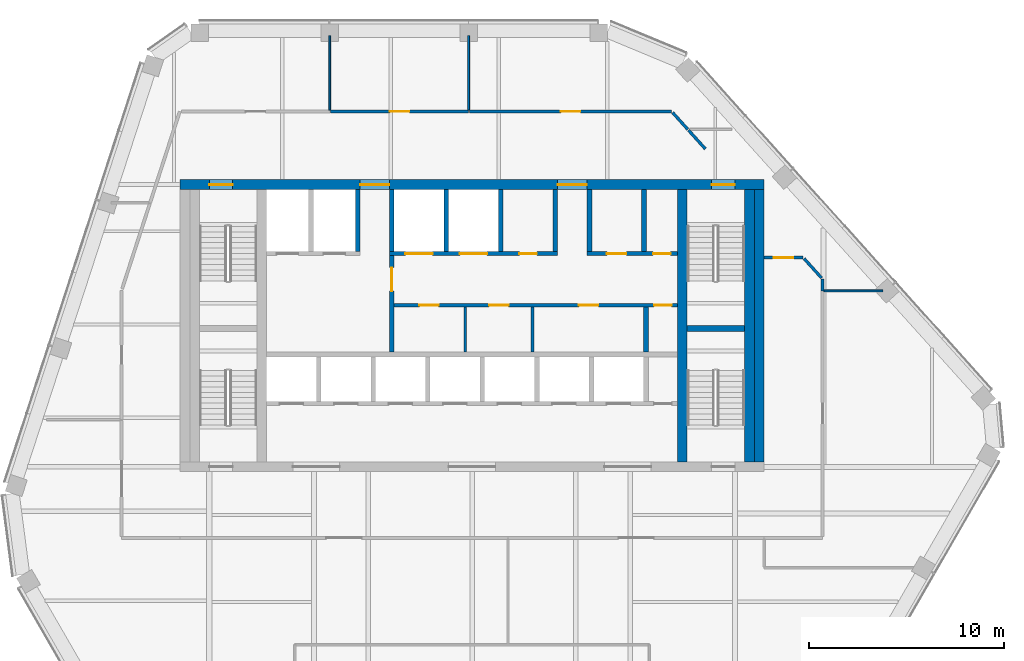
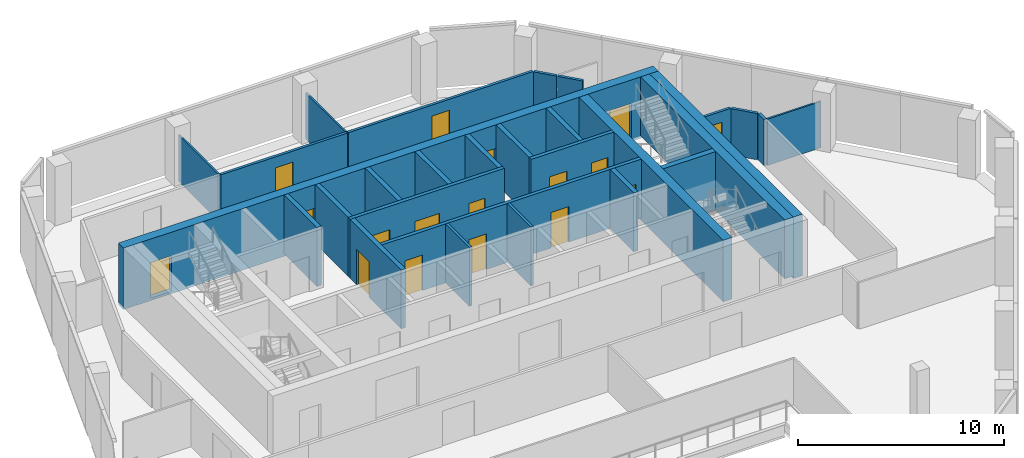
# One storey, part 9 of 15: 29 walls, 17 doors, 17 openings.
"""IFC4 building model written with IfcOpenShell, lengths in metres."""

from ifc_helpers import new_model, si_unit, direction, frame, frame_2d, origin, place, context, subcontext, project, spatial, rectangle, extrude, material, layer, layer_set, type_object, element, fill, save


model = new_model("IFC4")

# Units and contexts
model_context = context("Model", 3, precision=1e-05, world=origin(), true_north=direction((0.0, 1.0)))
body_context = subcontext(model_context, "Body", "Model", "MODEL_VIEW")
ifc_project = project(units=[si_unit("LENGTHUNIT", "METRE"), si_unit("AREAUNIT", "SQUARE_METRE"), si_unit("VOLUMEUNIT", "CUBIC_METRE"), si_unit("PLANEANGLEUNIT", "RADIAN"), si_unit("MASSUNIT", "GRAM", prefix="KILO")], contexts=[model_context])

# Site, building, storey
site_placement = place(None, origin())
site = spatial("IfcSite", under=ifc_project, at=site_placement, CompositionType="ELEMENT")
building_placement = place(site_placement, origin())
building = spatial("IfcBuilding", under=site, at=building_placement, Name="Isthmus Gate Tower", CompositionType="ELEMENT")
storey_placement = place(building_placement, frame((0.0, 0.0, 282.85009765625)))
storey = spatial("IfcBuildingStorey", under=building, at=storey_placement, Name="L72", CompositionType="ELEMENT", Elevation=282.85009765625)

# Wall
ifc_material_1 = material(Name="Gypsum board on steel studs, fire-rated", Category="steel")
ifc_layer_1 = layer(ifc_material_1, 0.14990234375)
ifc_layer_set_1 = layer_set([ifc_layer_1], Name="CORRIDOR WALL 150 60 MIN")
wall_type_1 = type_object("IfcWallType", Name="CORRIDOR WALL 150 60 MIN", PredefinedType="PARTITIONING", material=ifc_layer_set_1)
wall_1_placement = place(storey_placement, frame((18.0, 9.89501953125, 0.0), z_axis=(0.0, 0.0, 1.0), x_axis=(0.0, -1.0, 0.0)))
element("IfcWall", 1, at=wall_1_placement, inside=storey, type_object=wall_type_1, Name="L72 Corridor Wall 150 60 Min", PredefinedType="PARTITIONING", context=body_context, shape_type="SweptSolid", body=[
    extrude(rectangle(XDim=0.60498046875, YDim=0.14990234375, at=frame_2d((0.302490234375, 0.0))), origin(), (0.0, 0.0, 1.0), 2.75048828125),
])

# Wall, opening, door
wall_2_placement = place(storey_placement, frame((-7.260009765625, 18.5, 0.0), z_axis=(0.0, 0.0, 1.0), x_axis=(1.0, 0.0, 0.0)))
wall_2 = element("IfcWall", 2, at=wall_2_placement, inside=storey, type_object=wall_type_1, Name="L72 Corridor Wall 150 60 Min", PredefinedType="PARTITIONING", context=body_context, shape_type="SweptSolid", body=[
    extrude(rectangle(XDim=7.0849609375, YDim=0.14990234375, at=frame_2d((3.54248046875, 0.0))), origin(), (0.0, 0.0, 1.0), 2.75048828125),
])
opening_1_placement = place(wall_2_placement, frame((3.04248046875, 0.0, 0.0)))
opening_1 = element("IfcOpeningElement", 3, at=opening_1_placement, cuts=wall_2, Name="Opening DT-T6C-02", PredefinedType="OPENING", context=body_context, shape_type="SweptSolid", body=[
    extrude(rectangle(XDim=1.0, YDim=2.10009765625, at=frame_2d((0.5, 1.050048828125))), frame((0.0, 0.0849609375, 0.0), z_axis=(0.0, -1.0, 0.0), x_axis=(1.0, 0.0, 0.0)), (0.0, 0.0, 1.0), 0.169921875),
])
ifc_material_2 = material(Name="Solid core timber door leaf, fire-rated", Category="wood")
door_type_1 = type_object("IfcDoorType", Name="FIRE DOOR ROOM 1000 X 2100 60 MIN", OperationType="SINGLE_SWING_LEFT", PredefinedType="DOOR", material=ifc_material_2)
door_1_placement = place(opening_1_placement, origin())
door_1 = element("IfcDoor", 4, at=door_1_placement, inside=storey, type_object=door_type_1, Name="L72 room door", OperationType="SINGLE_SWING_RIGHT", OverallHeight=2.10009765625, OverallWidth=1.0, PredefinedType="DOOR", context=body_context, shape_type="SweptSolid", body=[
    extrude(rectangle(XDim=1.0, YDim=2.10009765625, at=frame_2d((0.5, 1.050048828125))), frame((0.0, 0.02490234375, 0.0), z_axis=(0.0, -1.0, 0.0), x_axis=(1.0, 0.0, 0.0)), (0.0, 0.0, 1.0), 0.050048828125),
])
fill(opening_1, door_1)

wall_3_placement = place(storey_placement, frame((-0.125, 18.5, 0.0), z_axis=(0.0, 0.0, 1.0), x_axis=(1.0, 0.0, 0.0)))
wall_3 = element("IfcWall", 5, at=wall_3_placement, inside=storey, type_object=wall_type_1, Name="L72 Corridor Wall 150 60 Min", PredefinedType="PARTITIONING", context=body_context, shape_type="SweptSolid", body=[
    extrude(rectangle(XDim=10.376953125, YDim=0.14990234375, at=frame_2d((5.1884765625, 0.0))), origin(), (0.0, 0.0, 1.0), 2.75048828125),
])
opening_2_placement = place(wall_3_placement, frame((4.6884765625, 0.0, 0.0)))
opening_2 = element("IfcOpeningElement", 6, at=opening_2_placement, cuts=wall_3, Name="Opening DT-T6C-03", PredefinedType="OPENING", context=body_context, shape_type="SweptSolid", body=[
    extrude(rectangle(XDim=1.0, YDim=2.10009765625, at=frame_2d((0.5, 1.050048828125))), frame((0.0, 0.0849609375, 0.0), z_axis=(0.0, -1.0, 0.0), x_axis=(1.0, 0.0, 0.0)), (0.0, 0.0, 1.0), 0.169921875),
])
door_2_placement = place(opening_2_placement, origin())
door_2 = element("IfcDoor", 7, at=door_2_placement, inside=storey, type_object=door_type_1, Name="L72 room door", OperationType="SINGLE_SWING_RIGHT", OverallHeight=2.10009765625, OverallWidth=1.0, PredefinedType="DOOR", context=body_context, shape_type="SweptSolid", body=[
    extrude(rectangle(XDim=1.0, YDim=2.10009765625, at=frame_2d((0.5, 1.050048828125))), frame((0.0, 0.02490234375, 0.0), z_axis=(0.0, -1.0, 0.0), x_axis=(1.0, 0.0, 0.0)), (0.0, 0.0, 1.0), 0.050048828125),
])
fill(opening_2, door_2)

# Walls
wall_4_placement = place(storey_placement, frame((10.30224609375, 18.4443359375, 0.0), z_axis=(0.0, 0.0, 1.0), x_axis=(0.668964731622, -0.743294146247, 0.0)))
element("IfcWall", 8, at=wall_4_placement, inside=storey, type_object=wall_type_1, Name="L72 Corridor Wall 150 60 Min", PredefinedType="PARTITIONING", context=body_context, shape_type="SweptSolid", body=[
    extrude(rectangle(XDim=1.162841796875, YDim=0.14990234375, at=frame_2d((0.58154296875, 0.0))), origin(), (0.0, 0.0, 1.0), 2.75048828125),
])
wall_5_placement = place(storey_placement, frame((11.113525390625, 17.542724609375, 0.0), z_axis=(0.0, 0.0, 1.0), x_axis=(0.669172057426, -0.743107500675, 0.0)))
element("IfcWall", 9, at=wall_5_placement, inside=storey, type_object=wall_type_1, Name="L72 Corridor Wall 150 60 Min", PredefinedType="PARTITIONING", context=body_context, shape_type="SweptSolid", body=[
    extrude(rectangle(XDim=1.301025390625, YDim=0.14990234375, at=frame_2d((0.650390625, 0.0))), origin(), (0.0, 0.0, 1.0), 2.75048828125),
])

# Wall, opening, door
wall_6_placement = place(storey_placement, frame((15.0, 11.0, 0.0), z_axis=(0.0, 0.0, 1.0), x_axis=(1.0, 0.0, 0.0)))
wall_6 = element("IfcWall", 10, at=wall_6_placement, inside=storey, type_object=wall_type_1, Name="L72 Corridor Wall 150 60 Min", PredefinedType="PARTITIONING", context=body_context, shape_type="SweptSolid", body=[
    extrude(rectangle(XDim=2.0048828125, YDim=0.14990234375, at=frame_2d((1.00244140625, 0.0))), origin(), (0.0, 0.0, 1.0), 2.75048828125),
])
opening_3_placement = place(wall_6_placement, frame((0.50244140625, 0.0, 0.0)))
opening_3 = element("IfcOpeningElement", 11, at=opening_3_placement, cuts=wall_6, Name="Opening DT-T6C-04", PredefinedType="OPENING", context=body_context, shape_type="SweptSolid", body=[
    extrude(rectangle(XDim=1.0, YDim=2.10009765625, at=frame_2d((0.5, 1.050048828125))), frame((0.0, 0.0849609375, 0.0), z_axis=(0.0, -1.0, 0.0), x_axis=(1.0, 0.0, 0.0)), (0.0, 0.0, 1.0), 0.169921875),
])
door_3_placement = place(opening_3_placement, origin())
door_3 = element("IfcDoor", 12, at=door_3_placement, inside=storey, type_object=door_type_1, Name="L72 room door", OperationType="SINGLE_SWING_LEFT", OverallHeight=2.10009765625, OverallWidth=1.0, PredefinedType="DOOR", context=body_context, shape_type="SweptSolid", body=[
    extrude(rectangle(XDim=1.0, YDim=2.10009765625, at=frame_2d((0.5, 1.050048828125))), frame((0.0, 0.02490234375, 0.0), z_axis=(0.0, -1.0, 0.0), x_axis=(1.0, 0.0, 0.0)), (0.0, 0.0, 1.0), 0.050048828125),
])
fill(opening_3, door_3)

# Wall
wall_7_placement = place(storey_placement, frame((17.05517578125, 10.9443359375, 0.0), z_axis=(0.0, 0.0, 1.0), x_axis=(0.669065612335, -0.743203341213, 0.0)))
element("IfcWall", 13, at=wall_7_placement, inside=storey, type_object=wall_type_1, Name="L72 Corridor Wall 150 60 Min", PredefinedType="PARTITIONING", context=body_context, shape_type="SweptSolid", body=[
    extrude(rectangle(XDim=1.3369140625, YDim=0.14990234375, at=frame_2d((0.66845703125, 0.0))), origin(), (0.0, 0.0, 1.0), 2.75048828125),
])

# Wall, opening, door
ifc_material_3 = material(Name="Fire-rated blockwork masonry, 15 MPa", Category="masonry")
ifc_layer_2 = layer(ifc_material_3, 0.25)
ifc_layer_set_2 = layer_set([ifc_layer_2], Name="FIRE-FIGHTING LOBBY WALL 250 90 MIN")
wall_type_2 = type_object("IfcWallType", Name="FIRE-FIGHTING LOBBY WALL 250 90 MIN", PredefinedType="PARTITIONING", material=ifc_layer_set_2)
wall_8_placement = place(storey_placement, frame((-4.125, 6.14990234375, 0.0), z_axis=(0.0, 0.0, 1.0), x_axis=(0.0, 1.0, 0.0)))
wall_8 = element("IfcWall", 14, at=wall_8_placement, inside=storey, type_object=wall_type_2, Name="L72 FIRE-FIGHTING LOBBY WALL 250 90 MIN", PredefinedType="PARTITIONING", context=body_context, shape_type="SweptSolid", body=[
    extrude(rectangle(XDim=4.9501953125, YDim=0.25, at=frame_2d((2.47509765625, 0.0))), origin(), (0.0, 0.0, 1.0), 3.5),
])
opening_4_placement = place(wall_8_placement, frame((3.125, 0.0, 0.0)))
opening_4 = element("IfcOpeningElement", 15, at=opening_4_placement, cuts=wall_8, Name="Opening DC-A18-01", PredefinedType="OPENING", context=body_context, shape_type="SweptSolid", body=[
    extrude(rectangle(XDim=1.199951171875, YDim=2.10009765625, at=frame_2d((0.60009765625, 1.050048828125))), frame((0.0, 0.135009765625, 0.0), z_axis=(0.0, -1.0, 0.0), x_axis=(1.0, 0.0, 0.0)), (0.0, 0.0, 1.0), 0.27001953125),
])
ifc_material_4 = material(Name="Steel door leaf, fire-rated", Category="steel")
door_type_2 = type_object("IfcDoorType", Name="LOBBY FIRE DOOR 1200 X 2100 90 MIN", OperationType="DOUBLE_DOOR_SINGLE_SWING", PredefinedType="DOOR", material=ifc_material_4)
door_4_placement = place(opening_4_placement, origin())
door_4 = element("IfcDoor", 16, at=door_4_placement, inside=storey, type_object=door_type_2, Name="Fire-fighting Lobby Door", OperationType="SINGLE_SWING_LEFT", OverallHeight=2.10009765625, OverallWidth=1.199951171875, PredefinedType="DOOR", context=body_context, shape_type="SweptSolid", body=[
    extrude(rectangle(XDim=1.199951171875, YDim=2.10009765625, at=frame_2d((0.60009765625, 1.050048828125))), frame((0.0, 0.02490234375, 0.0), z_axis=(0.0, -1.0, 0.0), x_axis=(1.0, 0.0, 0.0)), (0.0, 0.0, 1.0), 0.050048828125),
])
fill(opening_4, door_4)

# Wall
ifc_material_5 = material(Name="Concrete f'c 50 MPa", Category="concrete")
ifc_layer_3 = layer(ifc_material_5, 0.5)
ifc_layer_set_3 = layer_set([ifc_layer_3], Name="RC CORE SPINE WALL 500 F'C 50")
wall_type_3 = type_object("IfcWallType", Name="RC CORE SPINE WALL 500 F'C 50", PredefinedType="SOLIDWALL", material=ifc_layer_set_3)
wall_9_placement = place(storey_placement, frame((10.800048828125, 0.5, -0.150146484375), z_axis=(0.0, 0.0, 1.0), x_axis=(0.0, 1.0, 0.0)))
element("IfcWall", 17, at=wall_9_placement, inside=storey, type_object=wall_type_3, Name="str-corewall-L72-SPE", PredefinedType="SOLIDWALL", context=body_context, shape_type="SweptSolid", body=[
    extrude(rectangle(XDim=14.0, YDim=0.5, at=frame_2d((7.0, 0.0))), origin(), (0.0, 0.0, 1.0), 3.650146484375),
])

# Wall, openings, doors
ifc_material_6 = material(Name="Concrete f'c 50 MPa", Category="concrete")
ifc_layer_4 = layer(ifc_material_6, 0.5)
ifc_layer_set_4 = layer_set([ifc_layer_4], Name="RC CORE WALL 500 F'C 50")
wall_type_4 = type_object("IfcWallType", Name="RC CORE WALL 500 F'C 50", PredefinedType="SOLIDWALL", material=ifc_layer_set_4)
wall_10_placement = place(storey_placement, frame((-15.0, 14.75, -0.150146484375), z_axis=(0.0, 0.0, 1.0), x_axis=(1.0, 0.0, 0.0)))
wall_10 = element("IfcWall", 18, at=wall_10_placement, inside=storey, type_object=wall_type_4, Name="str-corewall-L72-N", PredefinedType="SOLIDWALL", context=body_context, shape_type="SweptSolid", body=[
    extrude(rectangle(XDim=30.0, YDim=0.5, at=frame_2d((15.0, 0.0))), origin(), (0.0, 0.0, 1.0), 3.650146484375),
])
opening_5_placement = place(wall_10_placement, frame((9.25, 0.0, 0.14990234375)))
opening_5 = element("IfcOpeningElement", 19, at=opening_5_placement, cuts=wall_10, Name="Opening DC-A18-13", PredefinedType="OPENING", context=body_context, shape_type="SweptSolid", body=[
    extrude(rectangle(XDim=1.5, YDim=2.10009765625, at=frame_2d((0.75, 1.050048828125))), frame((0.0, 0.260009765625, 0.0), z_axis=(0.0, -1.0, 0.0), x_axis=(1.0, 0.0, 0.0)), (0.0, 0.0, 1.0), 0.52001953125),
])
opening_6_placement = place(wall_10_placement, frame((19.39990234375, 0.0, 0.14990234375)))
opening_6 = element("IfcOpeningElement", 20, at=opening_6_placement, cuts=wall_10, Name="Opening DC-A18-14", PredefinedType="OPENING", context=body_context, shape_type="SweptSolid", body=[
    extrude(rectangle(XDim=1.5, YDim=2.10009765625, at=frame_2d((0.75, 1.050048828125))), frame((0.0, 0.260009765625, 0.0), z_axis=(0.0, -1.0, 0.0), x_axis=(1.0, 0.0, 0.0)), (0.0, 0.0, 1.0), 0.52001953125),
])
opening_7_placement = place(wall_10_placement, frame((1.5, 0.0, 0.14990234375)))
opening_7 = element("IfcOpeningElement", 21, at=opening_7_placement, cuts=wall_10, Name="Opening DC-A18-15", PredefinedType="OPENING", context=body_context, shape_type="SweptSolid", body=[
    extrude(rectangle(XDim=1.199951171875, YDim=2.10009765625, at=frame_2d((0.60009765625, 1.050048828125))), frame((0.0, 0.260009765625, 0.0), z_axis=(0.0, -1.0, 0.0), x_axis=(1.0, 0.0, 0.0)), (0.0, 0.0, 1.0), 0.52001953125),
])
opening_8_placement = place(wall_10_placement, frame((27.300048828125, 0.0, 0.14990234375)))
opening_8 = element("IfcOpeningElement", 22, at=opening_8_placement, cuts=wall_10, Name="Opening DC-A18-16", PredefinedType="OPENING", context=body_context, shape_type="SweptSolid", body=[
    extrude(rectangle(XDim=1.199951171875, YDim=2.10009765625, at=frame_2d((0.60009765625, 1.050048828125))), frame((0.0, 0.260009765625, 0.0), z_axis=(0.0, -1.0, 0.0), x_axis=(1.0, 0.0, 0.0)), (0.0, 0.0, 1.0), 0.52001953125),
])
ifc_material_7 = material(Name="Steel door leaf, fire-rated", Category="steel")
door_type_3 = type_object("IfcDoorType", Name="LOBBY FIRE DOOR 1500 X 2100 60 MIN", OperationType="DOUBLE_DOOR_SINGLE_SWING", PredefinedType="DOOR", material=ifc_material_7)
door_5_placement = place(opening_6_placement, origin())
door_5 = element("IfcDoor", 23, at=door_5_placement, inside=storey, type_object=door_type_3, Name="Lobby Door PN-E", OperationType="DOUBLE_DOOR_SINGLE_SWING", OverallHeight=2.10009765625, OverallWidth=1.5, PredefinedType="DOOR", context=body_context, shape_type="SweptSolid", body=[
    extrude(rectangle(XDim=1.5, YDim=2.10009765625, at=frame_2d((0.75, 1.050048828125))), frame((0.0, 0.02490234375, 0.0), z_axis=(0.0, -1.0, 0.0), x_axis=(1.0, 0.0, 0.0)), (0.0, 0.0, 1.0), 0.050048828125),
])
fill(opening_6, door_5)
ifc_material_8 = material(Name="Steel door leaf, fire-rated", Category="steel")
door_type_4 = type_object("IfcDoorType", Name="LOBBY FIRE DOOR 1500 X 2100 90 MIN", OperationType="DOUBLE_DOOR_SINGLE_SWING", PredefinedType="DOOR", material=ifc_material_8)
door_6_placement = place(opening_5_placement, origin())
door_6 = element("IfcDoor", 24, at=door_6_placement, inside=storey, type_object=door_type_4, Name="Lobby Door PN-W", OperationType="DOUBLE_DOOR_SINGLE_SWING", OverallHeight=2.10009765625, OverallWidth=1.5, PredefinedType="DOOR", context=body_context, shape_type="SweptSolid", body=[
    extrude(rectangle(XDim=1.5, YDim=2.10009765625, at=frame_2d((0.75, 1.050048828125))), frame((0.0, 0.02490234375, 0.0), z_axis=(0.0, -1.0, 0.0), x_axis=(1.0, 0.0, 0.0)), (0.0, 0.0, 1.0), 0.050048828125),
])
fill(opening_5, door_6)
ifc_material_9 = material(Name="Steel door leaf, fire-rated", Category="steel")
door_type_5 = type_object("IfcDoorType", Name="STAIR FIRE DOOR 1200 X 2100 90 MIN", OperationType="SINGLE_SWING_LEFT", PredefinedType="DOOR", material=ifc_material_9)
door_7_placement = place(opening_7_placement, origin())
door_7 = element("IfcDoor", 25, at=door_7_placement, inside=storey, type_object=door_type_5, Name="Exit Stair 1 Door", OperationType="SINGLE_SWING_RIGHT", OverallHeight=2.10009765625, OverallWidth=1.199951171875, PredefinedType="DOOR", context=body_context, shape_type="SweptSolid", body=[
    extrude(rectangle(XDim=1.199951171875, YDim=2.10009765625, at=frame_2d((0.60009765625, 1.050048828125))), frame((0.0, 0.02490234375, 0.0), z_axis=(0.0, -1.0, 0.0), x_axis=(1.0, 0.0, 0.0)), (0.0, 0.0, 1.0), 0.050048828125),
])
fill(opening_7, door_7)
door_8_placement = place(opening_8_placement, origin())
door_8 = element("IfcDoor", 26, at=door_8_placement, inside=storey, type_object=door_type_5, Name="Exit Stair 2 Door", OperationType="SINGLE_SWING_LEFT", OverallHeight=2.10009765625, OverallWidth=1.199951171875, PredefinedType="DOOR", context=body_context, shape_type="SweptSolid", body=[
    extrude(rectangle(XDim=1.199951171875, YDim=2.10009765625, at=frame_2d((0.60009765625, 1.050048828125))), frame((0.0, 0.02490234375, 0.0), z_axis=(0.0, -1.0, 0.0), x_axis=(1.0, 0.0, 0.0)), (0.0, 0.0, 1.0), 0.050048828125),
])
fill(opening_8, door_8)

# Walls
wall_11_placement = place(storey_placement, frame((14.75, 0.5, -0.150146484375), z_axis=(0.0, 0.0, 1.0), x_axis=(0.0, 1.0, 0.0)))
element("IfcWall", 27, at=wall_11_placement, inside=storey, type_object=wall_type_4, Name="str-corewall-L72-E", PredefinedType="SOLIDWALL", context=body_context, shape_type="SweptSolid", body=[
    extrude(rectangle(XDim=14.0, YDim=0.5, at=frame_2d((7.0, 0.0))), origin(), (0.0, 0.0, 1.0), 3.650146484375),
])
ifc_material_10 = material(Name="Gypsum board on steel studs, fire-rated", Category="steel")
ifc_layer_5 = layer(ifc_material_10, 0.10009765625)
ifc_layer_set_5 = layer_set([ifc_layer_5], Name="ROOM PARTITION 100 30 MIN")
wall_type_5 = type_object("IfcWallType", Name="ROOM PARTITION 100 30 MIN", PredefinedType="PARTITIONING", material=ifc_layer_set_5)
for number, where, z_axis, x_axis, name in (
    (28, (-7.31005859375, 18.574951171875, 0.0), (0.0, 0.0, 1.0), (0.0, 1.0, 0.0), "L72 Room Partition 100 30 Min"),
    (29, (-0.175048828125, 18.574951171875, 0.0), (0.0, 0.0, 1.0), (0.0, 1.0, 0.0), "L72 Room Partition 100 30 Min"),
):
    element("IfcWall", number, at=place(storey_placement, frame(where, z_axis=z_axis, x_axis=x_axis)), inside=storey, type_object=wall_type_5, Name=name, PredefinedType="PARTITIONING", context=body_context, shape_type="SweptSolid", body=[
        extrude(rectangle(XDim=3.824951171875, YDim=0.10009765625, at=frame_2d((1.91259765625, 0.0))), origin(), (0.0, 0.0, 1.0), 2.75048828125),
    ])
wall_12_placement = place(storey_placement, frame((18.074951171875, 9.2900390625, 0.0), z_axis=(0.0, 0.0, 1.0), x_axis=(1.0, 0.0, 0.0)))
element("IfcWall", 30, at=wall_12_placement, inside=storey, type_object=wall_type_5, Name="L72 Room Partition 100 30 Min", PredefinedType="PARTITIONING", context=body_context, shape_type="SweptSolid", body=[
    extrude(rectangle(XDim=3.026123046875, YDim=0.10009765625, at=frame_2d((1.51318359375, 0.0))), origin(), (0.0, 0.0, 1.0), 2.75048828125),
])
ifc_material_11 = material(Name="Gypsum board on steel studs, fire-rated", Category="steel")
ifc_layer_6 = layer(ifc_material_11, 0.14990234375)
ifc_layer_set_6 = layer_set([ifc_layer_6], Name="ROOM PARTITION 150 60 MIN")
wall_type_6 = type_object("IfcWallType", Name="ROOM PARTITION 150 60 MIN", PredefinedType="PARTITIONING", material=ifc_layer_set_6)
for number, where, z_axis, x_axis, name in (
    (31, (-0.35009765625, 6.14990234375, 0.0), (0.0, 0.0, 1.0), (0.0, 1.0, 0.0), "L72 ROOM PARTITION 150 60 MIN"),
    (32, (3.10009765625, 6.14990234375, 0.0), (0.0, 0.0, 1.0), (0.0, 1.0, 0.0), "L72 ROOM PARTITION 150 60 MIN"),
):
    element("IfcWall", number, at=place(storey_placement, frame(where, z_axis=z_axis, x_axis=x_axis)), inside=storey, type_object=wall_type_6, Name=name, PredefinedType="PARTITIONING", context=body_context, shape_type="SweptSolid", body=[
        extrude(rectangle(XDim=2.300048828125, YDim=0.14990234375, at=frame_2d((1.14990234375, 0.0))), origin(), (0.0, 0.0, 1.0), 3.5),
    ])

# Wall, openings, doors
ifc_material_12 = material(Name="Fire-rated blockwork masonry, 15 MPa", Category="masonry")
ifc_layer_7 = layer(ifc_material_12, 0.199951171875)
ifc_layer_set_7 = layer_set([ifc_layer_7], Name="SHAFT FRONT WALL 200 120 MIN")
wall_type_7 = type_object("IfcWallType", Name="SHAFT FRONT WALL 200 120 MIN", PredefinedType="PARTITIONING", material=ifc_layer_set_7)
wall_13_placement = place(storey_placement, frame((-4.125, 8.550048828125, 0.0), z_axis=(0.0, 0.0, 1.0), x_axis=(1.0, 0.0, 0.0)))
wall_13 = element("IfcWall", 33, at=wall_13_placement, inside=storey, type_object=wall_type_7, Name="L72 SHAFT FRONT WALL 200 120 MIN", PredefinedType="PARTITIONING", context=body_context, shape_type="SweptSolid", body=[
    extrude(rectangle(XDim=14.675048828125, YDim=0.199951171875, at=frame_2d((7.33740234375, 0.0))), origin(), (0.0, 0.0, 1.0), 3.5),
])
opening_9_placement = place(wall_13_placement, frame((1.41259765625, 0.0, 0.0)))
opening_9 = element("IfcOpeningElement", 34, at=opening_9_placement, cuts=wall_13, Name="Opening DC-A18-03", PredefinedType="OPENING", context=body_context, shape_type="SweptSolid", body=[
    extrude(rectangle(XDim=1.0, YDim=2.10009765625, at=frame_2d((0.5, 1.050048828125))), frame((0.0, 0.10986328125, 0.0), z_axis=(0.0, -1.0, 0.0), x_axis=(1.0, 0.0, 0.0)), (0.0, 0.0, 1.0), 0.219970703125),
])
opening_10_placement = place(wall_13_placement, frame((5.0, 0.0, 0.0)))
opening_10 = element("IfcOpeningElement", 35, at=opening_10_placement, cuts=wall_13, Name="Opening DC-A18-04", PredefinedType="OPENING", context=body_context, shape_type="SweptSolid", body=[
    extrude(rectangle(XDim=1.0, YDim=2.10009765625, at=frame_2d((0.5, 1.050048828125))), frame((0.0, 0.10986328125, 0.0), z_axis=(0.0, -1.0, 0.0), x_axis=(1.0, 0.0, 0.0)), (0.0, 0.0, 1.0), 0.219970703125),
])
opening_11_placement = place(wall_13_placement, frame((9.612548828125, 0.0, 0.0)))
opening_11 = element("IfcOpeningElement", 36, at=opening_11_placement, cuts=wall_13, Name="Opening DC-A18-05", PredefinedType="OPENING", context=body_context, shape_type="SweptSolid", body=[
    extrude(rectangle(XDim=1.0, YDim=2.10009765625, at=frame_2d((0.5, 1.050048828125))), frame((0.0, 0.10986328125, 0.0), z_axis=(0.0, -1.0, 0.0), x_axis=(1.0, 0.0, 0.0)), (0.0, 0.0, 1.0), 0.219970703125),
])
opening_12_placement = place(wall_13_placement, frame((13.47509765625, 0.0, 0.0)))
opening_12 = element("IfcOpeningElement", 37, at=opening_12_placement, cuts=wall_13, Name="Opening DC-A18-06", PredefinedType="OPENING", context=body_context, shape_type="SweptSolid", body=[
    extrude(rectangle(XDim=0.89990234375, YDim=2.10009765625, at=frame_2d((0.449951171875, 1.050048828125))), frame((0.0, 0.10986328125, 0.0), z_axis=(0.0, -1.0, 0.0), x_axis=(1.0, 0.0, 0.0)), (0.0, 0.0, 1.0), 0.219970703125),
])
ifc_material_13 = material(Name="Steel door leaf, fire-rated", Category="steel")
door_type_6 = type_object("IfcDoorType", Name="FIRE DOOR 1000 X 2100 60 MIN", OperationType="SINGLE_SWING_LEFT", PredefinedType="DOOR", material=ifc_material_13)
door_9_placement = place(opening_9_placement, origin())
door_9 = element("IfcDoor", 38, at=door_9_placement, inside=storey, type_object=door_type_6, Name="WC Women Door", OperationType="SINGLE_SWING_LEFT", OverallHeight=2.10009765625, OverallWidth=1.0, PredefinedType="DOOR", context=body_context, shape_type="SweptSolid", body=[
    extrude(rectangle(XDim=1.0, YDim=2.10009765625, at=frame_2d((0.5, 1.050048828125))), frame((0.0, 0.02490234375, 0.0), z_axis=(0.0, -1.0, 0.0), x_axis=(1.0, 0.0, 0.0)), (0.0, 0.0, 1.0), 0.050048828125),
])
fill(opening_9, door_9)
door_10_placement = place(opening_10_placement, origin())
door_10 = element("IfcDoor", 39, at=door_10_placement, inside=storey, type_object=door_type_6, Name="WC Men Door", OperationType="SINGLE_SWING_RIGHT", OverallHeight=2.10009765625, OverallWidth=1.0, PredefinedType="DOOR", context=body_context, shape_type="SweptSolid", body=[
    extrude(rectangle(XDim=1.0, YDim=2.10009765625, at=frame_2d((0.5, 1.050048828125))), frame((0.0, 0.02490234375, 0.0), z_axis=(0.0, -1.0, 0.0), x_axis=(1.0, 0.0, 0.0)), (0.0, 0.0, 1.0), 0.050048828125),
])
fill(opening_10, door_10)
door_11_placement = place(opening_11_placement, origin())
door_11 = element("IfcDoor", 40, at=door_11_placement, inside=storey, type_object=door_type_6, Name="Accessible WC Door", OperationType="SINGLE_SWING_LEFT", OverallHeight=2.10009765625, OverallWidth=1.0, PredefinedType="DOOR", context=body_context, shape_type="SweptSolid", body=[
    extrude(rectangle(XDim=1.0, YDim=2.10009765625, at=frame_2d((0.5, 1.050048828125))), frame((0.0, 0.02490234375, 0.0), z_axis=(0.0, -1.0, 0.0), x_axis=(1.0, 0.0, 0.0)), (0.0, 0.0, 1.0), 0.050048828125),
])
fill(opening_11, door_11)
ifc_material_14 = material(Name="Steel door leaf, fire-rated", Category="steel")
door_type_7 = type_object("IfcDoorType", Name="RISER FIRE DOOR 900 X 2100 90 MIN", OperationType="SINGLE_SWING_LEFT", PredefinedType="DOOR", material=ifc_material_14)
door_12_placement = place(opening_12_placement, origin())
door_12 = element("IfcDoor", 41, at=door_12_placement, inside=storey, type_object=door_type_7, Name="Riser Door", OperationType="SINGLE_SWING_RIGHT", OverallHeight=2.10009765625, OverallWidth=0.89990234375, PredefinedType="DOOR", context=body_context, shape_type="SweptSolid", body=[
    extrude(rectangle(XDim=0.89990234375, YDim=2.10009765625, at=frame_2d((0.449951171875, 1.050048828125))), frame((0.0, 0.02490234375, 0.0), z_axis=(0.0, -1.0, 0.0), x_axis=(1.0, 0.0, 0.0)), (0.0, 0.0, 1.0), 0.050048828125),
])
fill(opening_12, door_12)

wall_14_placement = place(storey_placement, frame((-4.25, 11.199951171875, 0.0), z_axis=(0.0, 0.0, 1.0), x_axis=(1.0, 0.0, 0.0)))
wall_14 = element("IfcWall", 42, at=wall_14_placement, inside=storey, type_object=wall_type_7, Name="L72 SHAFT FRONT WALL 200 120 MIN", PredefinedType="PARTITIONING", context=body_context, shape_type="SweptSolid", body=[
    extrude(rectangle(XDim=8.64990234375, YDim=0.199951171875, at=frame_2d((4.324951171875, 0.0))), origin(), (0.0, 0.0, 1.0), 3.5),
])
opening_13_placement = place(wall_14_placement, frame((0.824951171875, 0.0, 0.0)))
opening_13 = element("IfcOpeningElement", 43, at=opening_13_placement, cuts=wall_14, Name="Opening LD-LV1", PredefinedType="OPENING", context=body_context, shape_type="SweptSolid", body=[
    extrude(rectangle(XDim=1.39990234375, YDim=2.10009765625, at=frame_2d((0.699951171875, 1.050048828125))), frame((0.0, 0.10986328125, 0.0), z_axis=(0.0, -1.0, 0.0), x_axis=(1.0, 0.0, 0.0)), (0.0, 0.0, 1.0), 0.219970703125),
])
opening_14_placement = place(wall_14_placement, frame((3.625, 0.0, 0.0)))
opening_14 = element("IfcOpeningElement", 44, at=opening_14_placement, cuts=wall_14, Name="Opening LD-LV2", PredefinedType="OPENING", context=body_context, shape_type="SweptSolid", body=[
    extrude(rectangle(XDim=1.39990234375, YDim=2.10009765625, at=frame_2d((0.699951171875, 1.050048828125))), frame((0.0, 0.10986328125, 0.0), z_axis=(0.0, -1.0, 0.0), x_axis=(1.0, 0.0, 0.0)), (0.0, 0.0, 1.0), 0.219970703125),
])
opening_15_placement = place(wall_14_placement, frame((6.675048828125, 0.0, 0.0)))
opening_15 = element("IfcOpeningElement", 45, at=opening_15_placement, cuts=wall_14, Name="Opening DC-A18-07", PredefinedType="OPENING", context=body_context, shape_type="SweptSolid", body=[
    extrude(rectangle(XDim=0.89990234375, YDim=2.10009765625, at=frame_2d((0.449951171875, 1.050048828125))), frame((0.0, 0.10986328125, 0.0), z_axis=(0.0, -1.0, 0.0), x_axis=(1.0, 0.0, 0.0)), (0.0, 0.0, 1.0), 0.219970703125),
])
ifc_material_15 = material(Name="Steel door leaf, fire-rated", Category="steel")
door_type_8 = type_object("IfcDoorType", Name="FIRE DOOR 900 X 2100 60 MIN", OperationType="SINGLE_SWING_LEFT", PredefinedType="DOOR", material=ifc_material_15)
door_13_placement = place(opening_15_placement, origin())
door_13 = element("IfcDoor", 46, at=door_13_placement, inside=storey, type_object=door_type_8, Name="Cleaner Store Door", OperationType="SINGLE_SWING_LEFT", OverallHeight=2.10009765625, OverallWidth=0.89990234375, PredefinedType="DOOR", context=body_context, shape_type="SweptSolid", body=[
    extrude(rectangle(XDim=0.89990234375, YDim=2.10009765625, at=frame_2d((0.449951171875, 1.050048828125))), frame((0.0, 0.02490234375, 0.0), z_axis=(0.0, -1.0, 0.0), x_axis=(1.0, 0.0, 0.0)), (0.0, 0.0, 1.0), 0.050048828125),
])
fill(opening_15, door_13)
ifc_material_16 = material(Name="Stainless steel sliding leaf", Category="steel")
door_type_9 = type_object("IfcDoorType", Name="LIFT LANDING FIRE DOOR 1400 X 2100 90 MIN", OperationType="DOUBLE_DOOR_SLIDING", PredefinedType="DOOR", material=ifc_material_16)
door_14_placement = place(opening_13_placement, origin())
door_14 = element("IfcDoor", 47, at=door_14_placement, inside=storey, type_object=door_type_9, Name="Lift Landing Door LV1", OperationType="DOUBLE_DOOR_SLIDING", OverallHeight=2.10009765625, OverallWidth=1.39990234375, PredefinedType="DOOR", context=body_context, shape_type="SweptSolid", body=[
    extrude(rectangle(XDim=1.39990234375, YDim=2.10009765625, at=frame_2d((0.699951171875, 1.050048828125))), frame((0.0, 0.02490234375, 0.0), z_axis=(0.0, -1.0, 0.0), x_axis=(1.0, 0.0, 0.0)), (0.0, 0.0, 1.0), 0.050048828125),
])
fill(opening_13, door_14)
door_15_placement = place(opening_14_placement, origin())
door_15 = element("IfcDoor", 48, at=door_15_placement, inside=storey, type_object=door_type_9, Name="Lift Landing Door LV2", OperationType="DOUBLE_DOOR_SLIDING", OverallHeight=2.10009765625, OverallWidth=1.39990234375, PredefinedType="DOOR", context=body_context, shape_type="SweptSolid", body=[
    extrude(rectangle(XDim=1.39990234375, YDim=2.10009765625, at=frame_2d((0.699951171875, 1.050048828125))), frame((0.0, 0.02490234375, 0.0), z_axis=(0.0, -1.0, 0.0), x_axis=(1.0, 0.0, 0.0)), (0.0, 0.0, 1.0), 0.050048828125),
])
fill(opening_14, door_15)

wall_15_placement = place(storey_placement, frame((5.89990234375, 11.199951171875, 0.0), z_axis=(0.0, 0.0, 1.0), x_axis=(1.0, 0.0, 0.0)))
wall_15 = element("IfcWall", 49, at=wall_15_placement, inside=storey, type_object=wall_type_7, Name="L72 SHAFT FRONT WALL 200 120 MIN", PredefinedType="PARTITIONING", context=body_context, shape_type="SweptSolid", body=[
    extrude(rectangle(XDim=4.650146484375, YDim=0.199951171875, at=frame_2d((2.3251953125, 0.0))), origin(), (0.0, 0.0, 1.0), 3.5),
])
opening_16_placement = place(wall_15_placement, frame((1.02490234375, 0.0, 0.0)))
opening_16 = element("IfcOpeningElement", 50, at=opening_16_placement, cuts=wall_15, Name="Opening DC-A18-08", PredefinedType="OPENING", context=body_context, shape_type="SweptSolid", body=[
    extrude(rectangle(XDim=1.0, YDim=2.10009765625, at=frame_2d((0.5, 1.050048828125))), frame((0.0, 0.10986328125, 0.0), z_axis=(0.0, -1.0, 0.0), x_axis=(1.0, 0.0, 0.0)), (0.0, 0.0, 1.0), 0.219970703125),
])
opening_17_placement = place(wall_15_placement, frame((3.39990234375, 0.0, 0.0)))
opening_17 = element("IfcOpeningElement", 51, at=opening_17_placement, cuts=wall_15, Name="Opening DC-A18-09", PredefinedType="OPENING", context=body_context, shape_type="SweptSolid", body=[
    extrude(rectangle(XDim=0.89990234375, YDim=2.10009765625, at=frame_2d((0.449951171875, 1.050048828125))), frame((0.0, 0.10986328125, 0.0), z_axis=(0.0, -1.0, 0.0), x_axis=(1.0, 0.0, 0.0)), (0.0, 0.0, 1.0), 0.219970703125),
])
door_16_placement = place(opening_16_placement, origin())
door_16 = element("IfcDoor", 52, at=door_16_placement, inside=storey, type_object=door_type_6, Name="Pantry Door", OperationType="SINGLE_SWING_RIGHT", OverallHeight=2.10009765625, OverallWidth=1.0, PredefinedType="DOOR", context=body_context, shape_type="SweptSolid", body=[
    extrude(rectangle(XDim=1.0, YDim=2.10009765625, at=frame_2d((0.5, 1.050048828125))), frame((0.0, 0.02490234375, 0.0), z_axis=(0.0, -1.0, 0.0), x_axis=(1.0, 0.0, 0.0)), (0.0, 0.0, 1.0), 0.050048828125),
])
fill(opening_16, door_16)
door_17_placement = place(opening_17_placement, origin())
door_17 = element("IfcDoor", 53, at=door_17_placement, inside=storey, type_object=door_type_7, Name="Riser Door", OperationType="SINGLE_SWING_LEFT", OverallHeight=2.10009765625, OverallWidth=0.89990234375, PredefinedType="DOOR", context=body_context, shape_type="SweptSolid", body=[
    extrude(rectangle(XDim=0.89990234375, YDim=2.10009765625, at=frame_2d((0.449951171875, 1.050048828125))), frame((0.0, 0.02490234375, 0.0), z_axis=(0.0, -1.0, 0.0), x_axis=(1.0, 0.0, 0.0)), (0.0, 0.0, 1.0), 0.050048828125),
])
fill(opening_17, door_17)

# Walls
ifc_material_17 = material(Name="Fire-rated blockwork masonry, 15 MPa", Category="masonry")
ifc_layer_8 = layer(ifc_material_17, 0.25)
ifc_layer_set_8 = layer_set([ifc_layer_8], Name="SHAFT WALL 250 120 MIN")
wall_type_8 = type_object("IfcWallType", Name="SHAFT WALL 250 120 MIN", PredefinedType="PARTITIONING", material=ifc_layer_set_8)
wall_16_placement = place(storey_placement, frame((8.925048828125, 6.14990234375, 0.0), z_axis=(0.0, 0.0, 1.0), x_axis=(0.0, 1.0, 0.0)))
element("IfcWall", 54, at=wall_16_placement, inside=storey, type_object=wall_type_8, Name="L72 SHAFT WALL 250 120 MIN", PredefinedType="PARTITIONING", context=body_context, shape_type="SweptSolid", body=[
    extrude(rectangle(XDim=2.300048828125, YDim=0.25, at=frame_2d((1.14990234375, 0.0))), origin(), (0.0, 0.0, 1.0), 3.5),
])
for number, where, z_axis, x_axis, name in (
    (55, (-5.875, 11.300048828125, 0.0), (0.0, 0.0, 1.0), (0.0, 1.0, 0.0), "L72 SHAFT WALL 250 120 MIN"),
    (56, (-4.125, 11.300048828125, 0.0), (0.0, 0.0, 1.0), (0.0, 1.0, 0.0), "L72 SHAFT WALL 250 120 MIN"),
    (57, (-1.324951171875, 11.300048828125, 0.0), (0.0, 0.0, 1.0), (0.0, 1.0, 0.0), "L72 SHAFT WALL 250 120 MIN"),
    (58, (1.47509765625, 11.300048828125, 0.0), (0.0, 0.0, 1.0), (0.0, 1.0, 0.0), "L72 SHAFT WALL 250 120 MIN"),
    (59, (4.27490234375, 11.300048828125, 0.0), (0.0, 0.0, 1.0), (0.0, 1.0, 0.0), "L72 SHAFT WALL 250 120 MIN"),
    (60, (6.02490234375, 11.300048828125, 0.0), (0.0, 0.0, 1.0), (0.0, 1.0, 0.0), "L72 SHAFT WALL 250 120 MIN"),
    (61, (8.824951171875, 11.300048828125, 0.0), (0.0, 0.0, 1.0), (0.0, 1.0, 0.0), "L72 SHAFT WALL 250 120 MIN"),
):
    element("IfcWall", number, at=place(storey_placement, frame(where, z_axis=z_axis, x_axis=x_axis)), inside=storey, type_object=wall_type_8, Name=name, PredefinedType="PARTITIONING", context=body_context, shape_type="SweptSolid", body=[
        extrude(rectangle(XDim=3.199951171875, YDim=0.25, at=frame_2d((1.60009765625, 0.0))), origin(), (0.0, 0.0, 1.0), 3.5),
    ])
ifc_material_18 = material(Name="Concrete f'c 40 MPa", Category="concrete")
ifc_layer_9 = layer(ifc_material_18, 0.300048828125)
ifc_layer_set_9 = layer_set([ifc_layer_9], Name="STAIR ENCLOSURE WALL 300 180 MIN")
wall_type_9 = type_object("IfcWallType", Name="STAIR ENCLOSURE WALL 300 180 MIN", PredefinedType="SOLIDWALL", material=ifc_layer_set_9)
wall_17_placement = place(storey_placement, frame((11.050048828125, 7.35009765625, 0.0), z_axis=(0.0, 0.0, 1.0), x_axis=(1.0, 0.0, 0.0)))
element("IfcWall", 62, at=wall_17_placement, inside=storey, type_object=wall_type_9, Name="L72 STAIR ENCLOSURE WALL 300 180 MIN", PredefinedType="SOLIDWALL", context=body_context, shape_type="SweptSolid", body=[
    extrude(rectangle(XDim=2.949951171875, YDim=0.300048828125, at=frame_2d((1.47509765625, 0.0))), origin(), (0.0, 0.0, 1.0), 3.5),
])
ifc_material_19 = material(Name="Concrete f'c 40 MPa", Category="concrete")
ifc_layer_10 = layer(ifc_material_19, 0.5)
ifc_layer_set_10 = layer_set([ifc_layer_10], Name="STAIR ENCLOSURE WALL 500 180 MIN")
wall_type_10 = type_object("IfcWallType", Name="STAIR ENCLOSURE WALL 500 180 MIN", PredefinedType="SOLIDWALL", material=ifc_layer_set_10)
wall_18_placement = place(storey_placement, frame((14.25, 0.5, 0.0), z_axis=(0.0, 0.0, 1.0), x_axis=(0.0, 1.0, 0.0)))
element("IfcWall", 63, at=wall_18_placement, inside=storey, type_object=wall_type_10, Name="L72 STAIR ENCLOSURE WALL 500 180 MIN", PredefinedType="SOLIDWALL", context=body_context, shape_type="SweptSolid", body=[
    extrude(rectangle(XDim=14.0, YDim=0.5, at=frame_2d((7.0, 0.0))), origin(), (0.0, 0.0, 1.0), 3.5),
])

save(model, "model.ifc")
